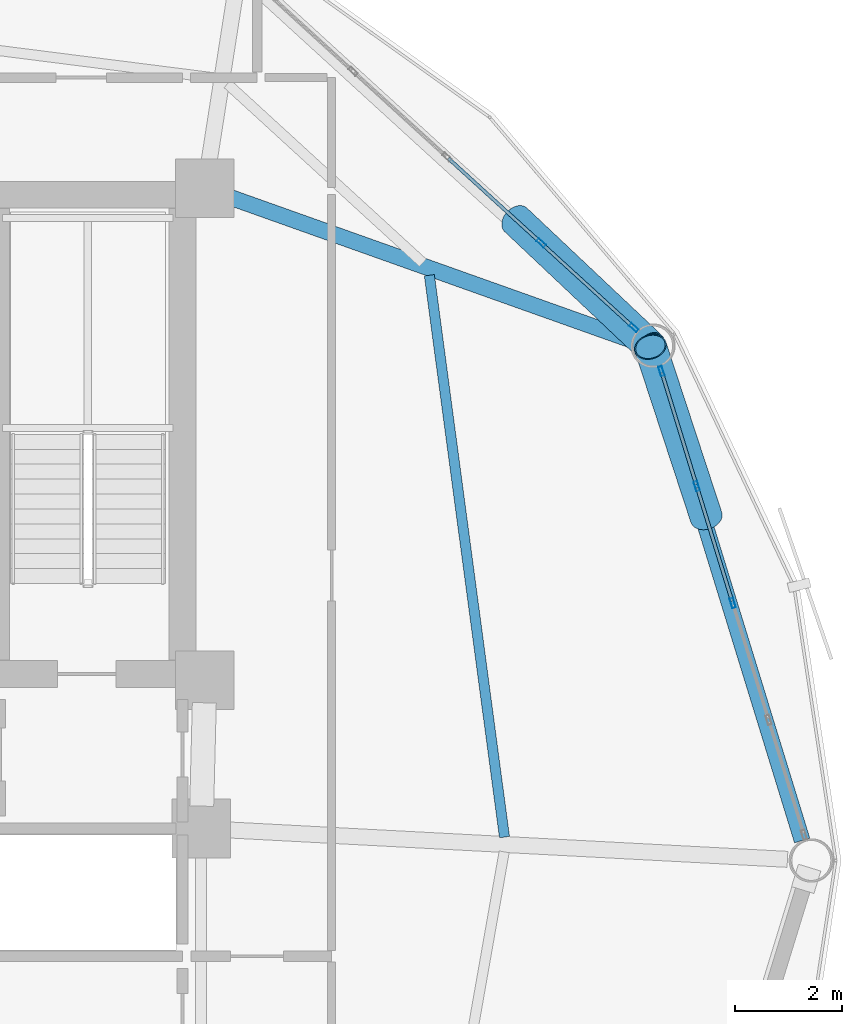
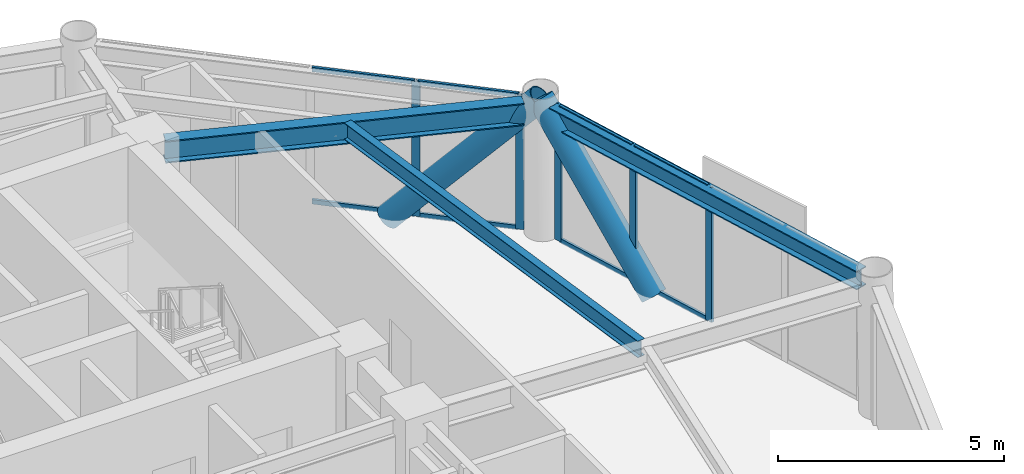
# One storey, part 14 of 24: 15 members, 3 beams, 2 elements without a shape of their own.
"""IFC4 building model written with IfcOpenShell, lengths in metres."""

import ifcopenshell
import ifcopenshell.guid

model = None  # the IFC model being written
_history = None  # IfcOwnerHistory: only IFC2X3 demands one
_inside = {}  # id of a spatial element -> (the spatial element, [elements in it])
_under = {}  # id of a project, library or spatial element -> (it, [spatial elements below it])
_declared = {}  # id of a project -> (the project, [libraries it declares])
_typed = {}  # id of a type object -> (the type object, [elements of that type])
_made_of = {}  # id of a material, layer set ... -> (it, [elements and type objects made of it])


def new_model(schema):
    """Start an empty IFC model of exactly this schema.

    Asked for "IFC4X3", IfcOpenShell would pick the latest addendum, in which some entities
    have other attributes; the version numbers below select the first issue.
    IFC2X3 requires an IfcOwnerHistory on every rooted entity: one is made here for all.
    """
    global model, _history
    if schema == "IFC4X3":
        model = ifcopenshell.file(schema_version=(4, 3, 0, 0))
    else:
        model = ifcopenshell.file(schema=schema)
    _inside.clear()
    _under.clear()
    _declared.clear()
    _typed.clear()
    _made_of.clear()
    _history = None
    if model.schema == "IFC2X3":
        org = make("IfcOrganization", Name="unknown")
        user = make(
            "IfcPersonAndOrganization",
            ThePerson=make("IfcPerson", FamilyName="unknown"),
            TheOrganization=org,
        )
        app = make(
            "IfcApplication",
            ApplicationDeveloper=org,
            Version="unknown",
            ApplicationFullName="unknown",
            ApplicationIdentifier="unknown",
        )
        _history = make(
            "IfcOwnerHistory",
            OwningUser=user,
            OwningApplication=app,
            ChangeAction="ADDED",
            CreationDate=0,
        )
    return model


def make(cls, **values):
    """One entity of the class cls with the attributes given. An attribute that is None is left unset."""
    return model.create_entity(
        cls, **{name: value for name, value in values.items() if value is not None}
    )


def rooted(cls, **values):
    """An entity with a GlobalId (a new one), such as an element, a storey or a relation."""
    return make(cls, GlobalId=ifcopenshell.guid.new(), OwnerHistory=_history, **values)


def si_unit(unit_type, name, prefix=None):
    """IfcSIUnit, for example si_unit("LENGTHUNIT", "METRE", prefix="MILLI")."""
    return make("IfcSIUnit", UnitType=unit_type, Prefix=prefix, Name=name)


def assignment(units):
    """IfcUnitAssignment: the units of a project."""
    return None if units is None else make("IfcUnitAssignment", Units=units)


def point(xyz):
    """IfcCartesianPoint."""
    return None if xyz is None else make("IfcCartesianPoint", Coordinates=xyz)


def direction(xyz):
    """IfcDirection."""
    return None if xyz is None else make("IfcDirection", DirectionRatios=xyz)


def frame(location, z_axis=None, x_axis=None):
    """IfcAxis2Placement3D, a coordinate frame: its origin and axes. An axis left out is left unset."""
    return make(
        "IfcAxis2Placement3D",
        Location=point(location),
        Axis=direction(z_axis),
        RefDirection=direction(x_axis),
    )


def frame_2d(location, x_axis=None):
    """IfcAxis2Placement2D, a coordinate frame in the plane: its origin and x axis."""
    return make(
        "IfcAxis2Placement2D", Location=point(location), RefDirection=direction(x_axis)
    )


def origin():
    """The frame at (0, 0, 0) with its axes left unset."""
    return frame((0.0, 0.0, 0.0))


def origin_2d():
    """The frame at (0, 0) in the plane with its x axis left unset."""
    return frame_2d((0.0, 0.0))


def place(relative_to, where):
    """IfcLocalPlacement: puts the frame where relative to a parent placement (None: the world)."""
    return make(
        "IfcLocalPlacement", PlacementRelTo=relative_to, RelativePlacement=where
    )


def context(
    kind, dimensions, precision=None, world=None, true_north=None, identifier=None
):
    """IfcGeometricRepresentationContext, for example the 3D "Model" context."""
    return make(
        "IfcGeometricRepresentationContext",
        ContextIdentifier=identifier,
        ContextType=kind,
        CoordinateSpaceDimension=dimensions,
        Precision=precision,
        WorldCoordinateSystem=world,
        TrueNorth=true_north,
    )


def subcontext(parent, identifier, kind, view, scale=None):
    """IfcGeometricRepresentationSubContext, for example "Body" below "Model"."""
    return make(
        "IfcGeometricRepresentationSubContext",
        ContextIdentifier=identifier,
        ContextType=kind,
        ParentContext=parent,
        TargetScale=scale,
        TargetView=view,
    )


def project(units=None, contexts=None):
    """IfcProject with its units and contexts."""
    return rooted(
        "IfcProject",
        Name="project",
        RepresentationContexts=contexts,
        UnitsInContext=assignment(units),
    )


def spatial(cls, under=None, at=None, **own):
    """A site, building, storey or space (cls), placed at a placement, below another one or the project."""
    s = rooted(cls, ObjectPlacement=at, **own)
    if under is not None:
        _under.setdefault(under.id(), (under, []))[1].append(s)
    return s


def profile(cls, at=None, kind="AREA", **sizes):
    """A parametric profile (cls). Its sizes go by their IFC names, for example OverallWidth=200.0."""
    return make(cls, ProfileType=kind, Position=at, **sizes)


def hollow_rectangle(**sizes):
    """IfcRectangleHollowProfileDef."""
    return profile("IfcRectangleHollowProfileDef", **sizes)


def hollow_circle(**sizes):
    """IfcCircleHollowProfileDef."""
    return profile("IfcCircleHollowProfileDef", **sizes)


def i_section(**sizes):
    """IfcIShapeProfileDef."""
    return profile("IfcIShapeProfileDef", **sizes)


def extrude(swept, where, along, depth):
    """IfcExtrudedAreaSolid: the profile swept, set in the frame where, extruded along a direction by depth."""
    return make(
        "IfcExtrudedAreaSolid",
        SweptArea=swept,
        Position=where,
        ExtrudedDirection=direction(along),
        Depth=depth,
    )


def shape(context_of_items, identifier, shape_type, items):
    """IfcShapeRepresentation: the items that make up one representation, for example the "Body"."""
    return make(
        "IfcShapeRepresentation",
        ContextOfItems=context_of_items,
        RepresentationIdentifier=identifier,
        RepresentationType=shape_type,
        Items=items,
    )


def material(Name=None, Category=None):
    """IfcMaterial."""
    return make("IfcMaterial", Name=Name, Category=Category)


def layer(
    of_material, thickness, ventilated=None, Name=None, Category=None, Priority=None
):
    """IfcMaterialLayer: one layer of a wall or slab, of a material (None: an air gap)."""
    return make(
        "IfcMaterialLayer",
        Material=of_material,
        LayerThickness=thickness,
        IsVentilated=ventilated,
        Name=Name,
        Category=Category,
        Priority=Priority,
    )


def layer_set(layers, Name=None):
    """IfcMaterialLayerSet."""
    return make("IfcMaterialLayerSet", MaterialLayers=layers, LayerSetName=Name)


def material_profile(
    of_material, cross_section, Name=None, Category=None, Priority=None
):
    """IfcMaterialProfile: a cross section and its material."""
    return make(
        "IfcMaterialProfile",
        Name=Name,
        Material=of_material,
        Profile=cross_section,
        Priority=Priority,
        Category=Category,
    )


def profile_set(profiles, Name=None, composite=None):
    """IfcMaterialProfileSet."""
    return make(
        "IfcMaterialProfileSet",
        Name=Name,
        MaterialProfiles=profiles,
        CompositeProfile=composite,
    )


def made_of(thing, what):
    """Note that an element or type object is made of a material, layer set ...; save() writes the relation."""
    if what is not None:
        _made_of.setdefault(what.id(), (what, []))[1].append(thing)
    return thing


def type_object(cls, material=None, **own):
    """A type object (cls), such as IfcWallType, which elements share."""
    return made_of(rooted(cls, **own), material)


def element(
    cls,
    number,
    at=None,
    inside=None,
    cuts=None,
    type_object=None,
    material=None,
    context=None,
    identifier="Body",
    shape_type=None,
    held_by="IfcProductDefinitionShape",
    body=None,
    shapes=None,
    **own,
):
    """One element of the class cls, such as IfcWall. Its Tag is "e" and its number.

    at: its placement. inside: the storey or other place that contains it. cuts: it is an
    opening in that element (IfcRelVoidsElement). A single representation is given by context,
    identifier, shape_type and body (its items); several are given by shapes. held_by: the class
    of the entity that holds the representations. save() writes the other relations.
    """
    e = rooted(cls, Tag="e%d" % number, ObjectPlacement=at, **own)
    if body is not None:
        shapes = [shape(context, identifier, shape_type, body)]
    if shapes is not None:
        e.Representation = make(held_by, Representations=shapes)
    if inside is not None:
        _inside.setdefault(inside.id(), (inside, []))[1].append(e)
    if cuts is not None:
        rooted(
            "IfcRelVoidsElement", RelatingBuildingElement=cuts, RelatedOpeningElement=e
        )
    if type_object is not None:
        _typed.setdefault(type_object.id(), (type_object, []))[1].append(e)
    return made_of(e, material)


def aggregate(whole, parts):
    """IfcRelAggregates: a whole, such as a stair, and the parts it consists of."""
    return rooted("IfcRelAggregates", RelatingObject=whole, RelatedObjects=parts)


def save(model, path):
    """Write the relations noted so far, then the file.

    IfcRelAggregates (storeys below a building ...), IfcRelContainedInSpatialStructure (elements
    in a storey), IfcRelDefinesByType, IfcRelAssociatesMaterial and IfcRelDeclares: one each for
    every whole, place, type object, material and project.
    """
    for whole, parts in _under.values():
        aggregate(whole, parts)
    for where, things in _inside.values():
        rooted(
            "IfcRelContainedInSpatialStructure",
            RelatedElements=things,
            RelatingStructure=where,
        )
    for kind, things in _typed.values():
        rooted("IfcRelDefinesByType", RelatedObjects=things, RelatingType=kind)
    for what, things in _made_of.values():
        rooted("IfcRelAssociatesMaterial", RelatedObjects=things, RelatingMaterial=what)
    for by, libraries in _declared.values():
        rooted("IfcRelDeclares", RelatingContext=by, RelatedDefinitions=libraries)
    model.write(path)


model = new_model("IFC4")

# Units and contexts
model_context = context("Model", 3, precision=1e-05, world=origin(), true_north=direction((0.0, 1.0)))
body_context = subcontext(model_context, "Body", "Model", "MODEL_VIEW")
ifc_project = project(units=[si_unit("LENGTHUNIT", "METRE"), si_unit("AREAUNIT", "SQUARE_METRE"), si_unit("VOLUMEUNIT", "CUBIC_METRE"), si_unit("PLANEANGLEUNIT", "RADIAN"), si_unit("MASSUNIT", "GRAM", prefix="KILO")], contexts=[model_context])

# Site, building, storey
site_placement = place(None, origin())
site = spatial("IfcSite", under=ifc_project, at=site_placement, CompositionType="ELEMENT")
building_placement = place(site_placement, origin())
building = spatial("IfcBuilding", under=site, at=building_placement, Name="Varnakorn Sky Granary", CompositionType="ELEMENT")
storey_placement = place(building_placement, frame((0.0, 0.0, 118.800048828125)))
storey = spatial("IfcBuildingStorey", under=building, at=storey_placement, Name="L29", CompositionType="ELEMENT", Elevation=118.800048828125)

# Beams
ifc_material_1 = material(Name="Steel S355JR", Category="steel")
ifc_material_profile_1 = material_profile(ifc_material_1, i_section(OverallWidth=0.300048828125, OverallDepth=0.60009765625, WebThickness=0.015380859375, FlangeThickness=0.030029296875, at=origin_2d()), Name="HE 600 B")
ifc_profile_set_1 = profile_set([ifc_material_profile_1], Name="Steel S355JR")
beam_type_1 = type_object("IfcBeamType", Name="BM-RAD-Z2", PredefinedType="BEAM", material=ifc_profile_set_1)
beam_1_placement = place(storey_placement, frame((8.815673828125, 12.479248046875, 3.33984375), z_axis=(0.942124663827, -0.335262759353, 0.0), x_axis=(0.335262759353, 0.942124663827, 0.0)))
element("IfcBeam", 1, at=beam_1_placement, inside=storey, type_object=beam_type_1, Name="Radial Floor Girder RG02 L29", PredefinedType="BEAM", context=body_context, shape_type="SweptSolid", body=[
    extrude(i_section(OverallWidth=0.300048828125, OverallDepth=0.60009765625, WebThickness=0.015380859375, FlangeThickness=0.030029296875, at=origin_2d()), origin(), (0.0, 0.0, 1.0), 8.068603515625),
])
ifc_material_profile_2 = material_profile(ifc_material_1, i_section(OverallWidth=0.18994140625, OverallDepth=0.449951171875, WebThickness=0.009521484375, FlangeThickness=0.0146484375, at=origin_2d()), Name="IPE 450")
ifc_profile_set_2 = profile_set([ifc_material_profile_2], Name="Steel S355JR")
beam_type_2 = type_object("IfcBeamType", Name="BM-SEC-Z2", PredefinedType="BEAM", material=ifc_profile_set_2)
beam_2_placement = place(storey_placement, frame((14.045654296875, 0.43798828125, 3.4150390625), z_axis=(-0.132533316392, 0.991178551042, 0.0), x_axis=(-0.991178551042, -0.132533316392, 0.0)))
element("IfcBeam", 2, at=beam_2_placement, inside=storey, type_object=beam_type_2, Name="Secondary Floor Chord Beam MSB01 L29", PredefinedType="BEAM", context=body_context, shape_type="SweptSolid", body=[
    extrude(i_section(OverallWidth=0.18994140625, OverallDepth=0.449951171875, WebThickness=0.009521484375, FlangeThickness=0.0146484375, at=origin_2d()), origin(), (0.0, 0.0, 1.0), 10.643798828125),
])
ifc_material_profile_3 = material_profile(ifc_material_1, i_section(OverallWidth=0.300048828125, OverallDepth=0.5, WebThickness=0.014404296875, FlangeThickness=0.028076171875, at=origin_2d()), Name="HE 500 B")
ifc_profile_set_3 = profile_set([ifc_material_profile_3], Name="Steel S355JR")
beam_type_3 = type_object("IfcBeamType", Name="BM-SPD-Z2", PredefinedType="SPANDREL", material=ifc_profile_set_3)
beam_3_placement = place(storey_placement, frame((19.635009765625, 0.374267578125, 3.389892578125), z_axis=(-0.293801908991, 0.955866328664, 0.0), x_axis=(-0.955866328664, -0.293801908991, 0.0)))
element("IfcBeam", 3, at=beam_3_placement, inside=storey, type_object=beam_type_3, Name="Perimeter Spandrel Ring Beam RB01 L29", PredefinedType="SPANDREL", context=body_context, shape_type="SweptSolid", body=[
    extrude(i_section(OverallWidth=0.300048828125, OverallDepth=0.5, WebThickness=0.014404296875, FlangeThickness=0.028076171875, at=origin_2d()), origin(), (0.0, 0.0, 1.0), 9.30517578125),
])

# Curtain wall, members
ifc_material_2 = material(Name="Anodised Bronze Aluminium Alloy 6063-T6", Category="aluminium")
ifc_layer = layer(ifc_material_2, 0.179931640625, Name="Anodised Bronze Aluminium Alloy 6063-T6")
ifc_layer_set = layer_set([ifc_layer], Name="Anodised Bronze Aluminium Alloy 6063-T6")
curtain_wall_type = type_object("IfcCurtainWallType", Name="CW-FRM-2", PredefinedType="USERDEFINED", material=ifc_layer_set)
curtain_wall_1_placement = place(storey_placement, origin())
curtain_wall_1 = element("IfcCurtainWall", 4, at=curtain_wall_1_placement, inside=storey, type_object=curtain_wall_type, Name="Unitised Curtain Wall CW4 CW-L29-B01", ObjectType="CURTAIN WALL", PredefinedType="USERDEFINED")
ifc_material_profile_4 = material_profile(ifc_material_2, hollow_rectangle(XDim=0.070068359375, YDim=0.18505859375, WallThickness=0.00390625, at=origin_2d()), Name="ALU MULL 70x185")
ifc_profile_set_4 = profile_set([ifc_material_profile_4], Name="Anodised Bronze Aluminium Alloy 6063-T6")
member_type_1 = type_object("IfcMemberType", Name="CW-FRM-2-MULL", PredefinedType="MULLION", material=ifc_profile_set_4)
member_1_placement = place(storey_placement, frame((16.99169921875, 9.187744140625, 0.0), z_axis=(0.0, 0.0, 1.0), x_axis=(0.955823744525, 0.293940418116, 0.0)))
member_1 = element("IfcMember", 5, at=member_1_placement, type_object=member_type_1, Name="CW4 mullion 1", PredefinedType="MULLION", context=body_context, shape_type="SweptSolid", body=[
    extrude(hollow_rectangle(XDim=0.070068359375, YDim=0.18505859375, WallThickness=0.00390625, at=origin_2d()), origin(), (0.0, 0.0, 1.0), 3.639892578125),
])
member_2_placement = place(storey_placement, frame((17.656005859375, 7.02734375, 0.0), z_axis=(0.0, 0.0, 1.0), x_axis=(0.955823744525, 0.293940418116, 0.0)))
member_2 = element("IfcMember", 6, at=member_2_placement, type_object=member_type_1, Name="CW4 mullion 2", PredefinedType="MULLION", context=body_context, shape_type="SweptSolid", body=[
    extrude(hollow_rectangle(XDim=0.070068359375, YDim=0.18505859375, WallThickness=0.00390625, at=origin_2d()), origin(), (0.0, 0.0, 1.0), 3.639892578125),
])
member_3_placement = place(storey_placement, frame((18.33056640625, 4.83349609375, 0.0), z_axis=(0.0, 0.0, 1.0), x_axis=(0.955823744525, 0.293940418116, 0.0)))
member_3 = element("IfcMember", 7, at=member_3_placement, type_object=member_type_1, Name="CW4 mullion 3", PredefinedType="MULLION", context=body_context, shape_type="SweptSolid", body=[
    extrude(hollow_rectangle(XDim=0.070068359375, YDim=0.18505859375, WallThickness=0.00390625, at=origin_2d()), origin(), (0.0, 0.0, 1.0), 3.639892578125),
])

curtain_wall_2_placement = place(storey_placement, origin())
curtain_wall_2 = element("IfcCurtainWall", 8, at=curtain_wall_2_placement, inside=storey, type_object=curtain_wall_type, Name="Unitised Curtain Wall CW4 CW-L29-B02", ObjectType="CURTAIN WALL", PredefinedType="USERDEFINED")
member_4_placement = place(storey_placement, frame((14.733642578125, 11.593505859375, 0.0), z_axis=(0.0, 0.0, 1.0), x_axis=(0.674153081651, 0.738591648003, 0.0)))
member_4 = element("IfcMember", 9, at=member_4_placement, type_object=member_type_1, Name="CW4 mullion 4", PredefinedType="MULLION", context=body_context, shape_type="SweptSolid", body=[
    extrude(hollow_rectangle(XDim=0.070068359375, YDim=0.18505859375, WallThickness=0.00390625, at=origin_2d()), origin(), (0.0, 0.0, 1.0), 3.639892578125),
])
member_5_placement = place(storey_placement, frame((16.4736328125, 10.005126953125, 0.0), z_axis=(0.0, 0.0, 1.0), x_axis=(0.674153081651, 0.738591648003, 0.0)))
member_5 = element("IfcMember", 10, at=member_5_placement, type_object=member_type_1, Name="CW4 mullion 5", PredefinedType="MULLION", context=body_context, shape_type="SweptSolid", body=[
    extrude(hollow_rectangle(XDim=0.070068359375, YDim=0.18505859375, WallThickness=0.00390625, at=origin_2d()), origin(), (0.0, 0.0, 1.0), 3.639892578125),
])

# Member
ifc_material_profile_5 = material_profile(ifc_material_2, hollow_rectangle(XDim=0.06494140625, YDim=0.1201171875, WallThickness=0.00341796875, at=origin_2d()), Name="ALU TRAN 65x120")
ifc_profile_set_5 = profile_set([ifc_material_profile_5], Name="Anodised Bronze Aluminium Alloy 6063-T6")
member_type_2 = type_object("IfcMemberType", Name="CW-FRM-2-TRAN", PredefinedType="USERDEFINED", material=ifc_profile_set_5)
member_6_placement = place(storey_placement, frame((17.001953125, 9.154296875, 0.032470703125), z_axis=(0.293937022502, -0.955824788757, 0.0), x_axis=(0.955824788757, 0.293937022502, 0.0)))
member_6 = element("IfcMember", 11, at=member_6_placement, type_object=member_type_2, Name="CW4 transom 1.1", ObjectType="TRANSOM", PredefinedType="USERDEFINED", context=body_context, shape_type="SweptSolid", body=[
    extrude(hollow_rectangle(XDim=0.06494140625, YDim=0.1201171875, WallThickness=0.00341796875, at=origin_2d()), origin(), (0.0, 0.0, 1.0), 2.190185546875),
])

member_7_placement = place(storey_placement, frame((17.001953125, 9.154296875, 3.607421875), z_axis=(0.293937022502, -0.955824788757, 0.0), x_axis=(0.955824788757, 0.293937022502, 0.0)))
member_7 = element("IfcMember", 12, at=member_7_placement, type_object=member_type_2, Name="CW4 transom 1.2", ObjectType="TRANSOM", PredefinedType="USERDEFINED", context=body_context, shape_type="SweptSolid", body=[
    extrude(hollow_rectangle(XDim=0.06494140625, YDim=0.1201171875, WallThickness=0.00341796875, at=origin_2d()), origin(), (0.0, 0.0, 1.0), 2.190185546875),
])

member_8_placement = place(storey_placement, frame((17.666259765625, 6.993896484375, 0.032470703125), z_axis=(0.293923942262, -0.955828811119, 0.0), x_axis=(0.955828811119, 0.293923942262, 0.0)))
member_8 = element("IfcMember", 13, at=member_8_placement, type_object=member_type_2, Name="CW4 transom 2.1", ObjectType="TRANSOM", PredefinedType="USERDEFINED", context=body_context, shape_type="SweptSolid", body=[
    extrude(hollow_rectangle(XDim=0.06494140625, YDim=0.1201171875, WallThickness=0.00341796875, at=origin_2d()), origin(), (0.0, 0.0, 1.0), 2.225341796875),
])

member_9_placement = place(storey_placement, frame((17.666259765625, 6.993896484375, 3.607421875), z_axis=(0.293923942262, -0.955828811119, 0.0), x_axis=(0.955828811119, 0.293923942262, 0.0)))
member_9 = element("IfcMember", 14, at=member_9_placement, type_object=member_type_2, Name="CW4 transom 2.2", ObjectType="TRANSOM", PredefinedType="USERDEFINED", context=body_context, shape_type="SweptSolid", body=[
    extrude(hollow_rectangle(XDim=0.06494140625, YDim=0.1201171875, WallThickness=0.00341796875, at=origin_2d()), origin(), (0.0, 0.0, 1.0), 2.225341796875),
])

aggregate(curtain_wall_1, [member_1, member_2, member_3, member_6, member_7, member_8, member_9])

member_10_placement = place(storey_placement, frame((12.993408203125, 13.181640625, 0.032470703125), z_axis=(0.738610727526, -0.674132177829, 0.0), x_axis=(0.674132177829, 0.738610727526, 0.0)))
member_10 = element("IfcMember", 15, at=member_10_placement, type_object=member_type_2, Name="CW4 transom 3.1", ObjectType="TRANSOM", PredefinedType="USERDEFINED", context=body_context, shape_type="SweptSolid", body=[
    extrude(hollow_rectangle(XDim=0.06494140625, YDim=0.1201171875, WallThickness=0.00341796875, at=origin_2d()), origin(), (0.0, 0.0, 1.0), 2.321044921875),
])

member_11_placement = place(storey_placement, frame((12.993408203125, 13.181640625, 3.607421875), z_axis=(0.738610727526, -0.674132177829, 0.0), x_axis=(0.674132177829, 0.738610727526, 0.0)))
member_11 = element("IfcMember", 16, at=member_11_placement, type_object=member_type_2, Name="CW4 transom 3.2", ObjectType="TRANSOM", PredefinedType="USERDEFINED", context=body_context, shape_type="SweptSolid", body=[
    extrude(hollow_rectangle(XDim=0.06494140625, YDim=0.1201171875, WallThickness=0.00341796875, at=origin_2d()), origin(), (0.0, 0.0, 1.0), 2.321044921875),
])

member_12_placement = place(storey_placement, frame((14.759521484375, 11.56982421875, 0.032470703125), z_axis=(0.738624207332, -0.674117408426, 0.0), x_axis=(0.674117408426, 0.738624207332, 0.0)))
member_12 = element("IfcMember", 17, at=member_12_placement, type_object=member_type_2, Name="CW4 transom 4.1", ObjectType="TRANSOM", PredefinedType="USERDEFINED", context=body_context, shape_type="SweptSolid", body=[
    extrude(hollow_rectangle(XDim=0.06494140625, YDim=0.1201171875, WallThickness=0.00341796875, at=origin_2d()), origin(), (0.0, 0.0, 1.0), 2.285888671875),
])

member_13_placement = place(storey_placement, frame((14.759521484375, 11.56982421875, 3.607421875), z_axis=(0.738624207332, -0.674117408426, 0.0), x_axis=(0.674117408426, 0.738624207332, 0.0)))
member_13 = element("IfcMember", 18, at=member_13_placement, type_object=member_type_2, Name="CW4 transom 4.2", ObjectType="TRANSOM", PredefinedType="USERDEFINED", context=body_context, shape_type="SweptSolid", body=[
    extrude(hollow_rectangle(XDim=0.06494140625, YDim=0.1201171875, WallThickness=0.00341796875, at=origin_2d()), origin(), (0.0, 0.0, 1.0), 2.285888671875),
])

aggregate(curtain_wall_2, [member_4, member_5, member_10, member_11, member_12, member_13])

# Members
ifc_material_3 = material(Name="Steel S460M", Category="steel")
ifc_material_profile_6 = material_profile(ifc_material_3, hollow_circle(Radius=0.304931640625, WallThickness=0.022216796875, at=origin_2d()), Name="CHS 610x22")
ifc_profile_set_6 = profile_set([ifc_material_profile_6], Name="Steel S460M")
member_type_3 = type_object("IfcMemberType", Name="MB-DIAG-T1", PredefinedType="BRACE", material=ifc_profile_set_6)
member_14_placement = place(storey_placement, frame((17.835205078125, 6.444580078125, -0.130126953125), z_axis=(-0.207568610593, 0.632849980773, 0.745933089313), x_axis=(-0.950195391802, -0.311654804868, 0.0)))
element("IfcMember", 19, at=member_14_placement, inside=storey, type_object=member_type_3, Name="Perimeter CHS Diagrid Brace DG01 L29", PredefinedType="BRACE", context=body_context, shape_type="SweptSolid", body=[
    extrude(hollow_circle(Radius=0.304931640625, WallThickness=0.022216796875, at=origin_2d()), origin(), (0.0, 0.0, 1.0), 5.05419921875),
])
member_15_placement = place(storey_placement, frame((14.259765625, 12.02587890625, -0.130126953125), z_axis=(0.492876996596, -0.464870456782, 0.735505081314), x_axis=(0.686136204299, 0.727473098575, 0.0)))
element("IfcMember", 20, at=member_15_placement, inside=storey, type_object=member_type_3, Name="Perimeter CHS Diagrid Brace DG02 L29", PredefinedType="BRACE", context=body_context, shape_type="SweptSolid", body=[
    extrude(hollow_circle(Radius=0.304931640625, WallThickness=0.022216796875, at=origin_2d()), origin(), (0.0, 0.0, 1.0), 5.125732421875),
])

save(model, "model.ifc")
